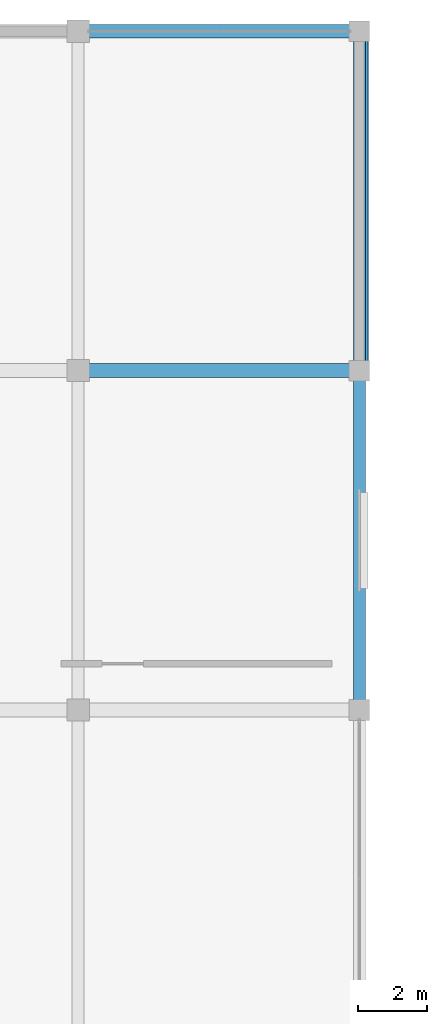
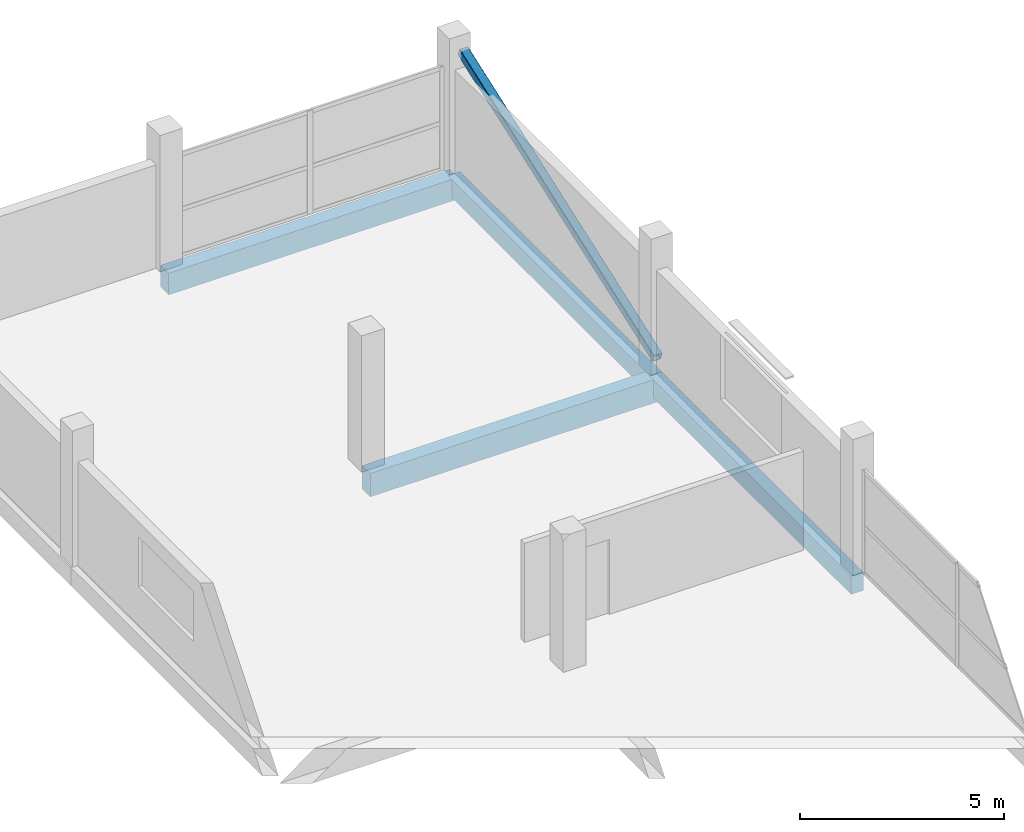
# One storey, part 49 of 66: 4 beams, 1 member.
"""IFC4 building model written with IfcOpenShell, lengths in metres."""

from ifc_helpers import new_model, si_unit, direction, frame, origin, origin_2d, place, context, subcontext, project, spatial, rectangle, hollow_rectangle, extrude, material, material_profile, profile_set, type_object, element, save


model = new_model("IFC4")

# Units and contexts
model_context = context("Model", 3, precision=1e-05, world=origin(), true_north=direction((0.0, 1.0)))
body_context = subcontext(model_context, "Body", "Model", "MODEL_VIEW")
ifc_project = project(units=[si_unit("LENGTHUNIT", "METRE"), si_unit("AREAUNIT", "SQUARE_METRE"), si_unit("VOLUMEUNIT", "CUBIC_METRE"), si_unit("PLANEANGLEUNIT", "RADIAN"), si_unit("MASSUNIT", "GRAM", prefix="KILO")], contexts=[model_context])

# Site, building, storey
site_placement = place(None, origin())
site = spatial("IfcSite", under=ifc_project, at=site_placement, CompositionType="ELEMENT")
building_placement = place(site_placement, origin())
building = spatial("IfcBuilding", under=site, at=building_placement, Name="Sillaruma Civic Art Gallery", CompositionType="ELEMENT")
storey_placement = place(building_placement, frame((0.0, 0.0, 62.219970703125)))
storey = spatial("IfcBuildingStorey", under=building, at=storey_placement, Name="L12", CompositionType="ELEMENT", Elevation=62.219970703125)

# Beams
ifc_material_1 = material(Name="Concrete H35 (35 MPa)", Category="concrete")
ifc_material_profile_1 = material_profile(ifc_material_1, rectangle(XDim=0.39990234375, YDim=0.699951171875, at=origin_2d()), Name="RCB400x700")
ifc_profile_set_1 = profile_set([ifc_material_profile_1], Name="Concrete H35 (35 MPa)")
beam_type_1 = type_object("IfcBeamType", Name="BM-BEAM-RCB400x700", PredefinedType="BEAM", material=ifc_profile_set_1)
beam_1_placement = place(storey_placement, frame((106.199951171875, 89.10009765625, -0.580078125), z_axis=(1.0, 0.0, 0.0), x_axis=(0.0, 1.0, 0.0)))
element("IfcBeam", 1, at=beam_1_placement, inside=storey, type_object=beam_type_1, Name="Beam BM-04 (L11:10:M-N)", PredefinedType="BEAM", context=body_context, shape_type="SweptSolid", body=[
    extrude(rectangle(XDim=0.39990234375, YDim=0.699951171875, at=origin_2d()), origin(), (0.0, 0.0, 1.0), 8.199951171875),
])
ifc_material_profile_2 = material_profile(ifc_material_1, rectangle(XDim=0.35009765625, YDim=0.550048828125, at=origin_2d()), Name="RCB350x550")
ifc_profile_set_2 = profile_set([ifc_material_profile_2], Name="Concrete H35 (35 MPa)")
beam_type_2 = type_object("IfcBeamType", Name="BM-SPANDREL-RCB350x550", PredefinedType="SPANDREL", material=ifc_profile_set_2)
beam_2_placement = place(storey_placement, frame((114.39990234375, 79.199951171875, -0.5048828125), z_axis=(0.0, 1.0, 0.0), x_axis=(-1.0, 0.0, 0.0)))
element("IfcBeam", 2, at=beam_2_placement, inside=storey, type_object=beam_type_2, Name="Beam BS-04 (L11:N:9-10)", PredefinedType="SPANDREL", context=body_context, shape_type="SweptSolid", body=[
    extrude(rectangle(XDim=0.35009765625, YDim=0.550048828125, at=origin_2d()), origin(), (0.0, 0.0, 1.0), 9.900146484375),
])
beam_3_placement = place(storey_placement, frame((114.39990234375, 89.10009765625, -0.5048828125), z_axis=(0.0, 1.0, 0.0), x_axis=(-1.0, 0.0, 0.0)))
element("IfcBeam", 3, at=beam_3_placement, inside=storey, type_object=beam_type_2, Name="Beam BS-04 (L11:N:10-11)", PredefinedType="SPANDREL", context=body_context, shape_type="SweptSolid", body=[
    extrude(rectangle(XDim=0.35009765625, YDim=0.550048828125, at=origin_2d()), origin(), (0.0, 0.0, 1.0), 9.89990234375),
])
ifc_material_profile_3 = material_profile(ifc_material_1, rectangle(XDim=0.39990234375, YDim=0.64990234375, at=origin_2d()), Name="RCB400x650")
ifc_profile_set_3 = profile_set([ifc_material_profile_3], Name="Concrete H35 (35 MPa)")
beam_type_3 = type_object("IfcBeamType", Name="BM-SPANDREL-RCB400x650", PredefinedType="SPANDREL", material=ifc_profile_set_3)
beam_4_placement = place(storey_placement, frame((106.199951171875, 99.0, -0.554931640625), z_axis=(1.0, 0.0, 0.0), x_axis=(0.0, 1.0, 0.0)))
element("IfcBeam", 4, at=beam_4_placement, inside=storey, type_object=beam_type_3, Name="Beam BS-02 (L11:11:M-N)", PredefinedType="SPANDREL", context=body_context, shape_type="SweptSolid", body=[
    extrude(rectangle(XDim=0.39990234375, YDim=0.64990234375, at=origin_2d()), origin(), (0.0, 0.0, 1.0), 8.199951171875),
])

# Member
ifc_material_2 = material(Name="Structural Steel ASTM A500 Gr.C", Category="steel")
ifc_material_profile_4 = material_profile(ifc_material_2, hollow_rectangle(XDim=0.25, YDim=0.25, WallThickness=0.012451171875, InnerFilletRadius=0.012451171875, OuterFilletRadius=0.02490234375, at=origin_2d()), Name="HSS250x250x12.5")
ifc_profile_set_4 = profile_set([ifc_material_profile_4], Name="Structural Steel ASTM A500 Gr.C")
member_type = type_object("IfcMemberType", Name="MEM-MEGA-BRACE", PredefinedType="BRACE", material=ifc_profile_set_4)
member_placement = place(storey_placement, frame((114.550048828125, 89.280029296875, 0.10009765625), z_axis=(0.0, 0.941968577938, 0.335701054775), x_axis=(-1.0, 0.0, 0.0)))
element("IfcMember", 5, at=member_placement, inside=storey, type_object=member_type, Name="Exterior Expressed Gallery Seismic Diagonal Brace (L12-EN)", PredefinedType="BRACE", context=body_context, shape_type="SweptSolid", body=[
    extrude(hollow_rectangle(XDim=0.25, YDim=0.25, WallThickness=0.012451171875, InnerFilletRadius=0.012451171875, OuterFilletRadius=0.02490234375, at=origin_2d()), origin(), (0.0, 0.0, 1.0), 10.127685546875),
])

save(model, "model.ifc")
